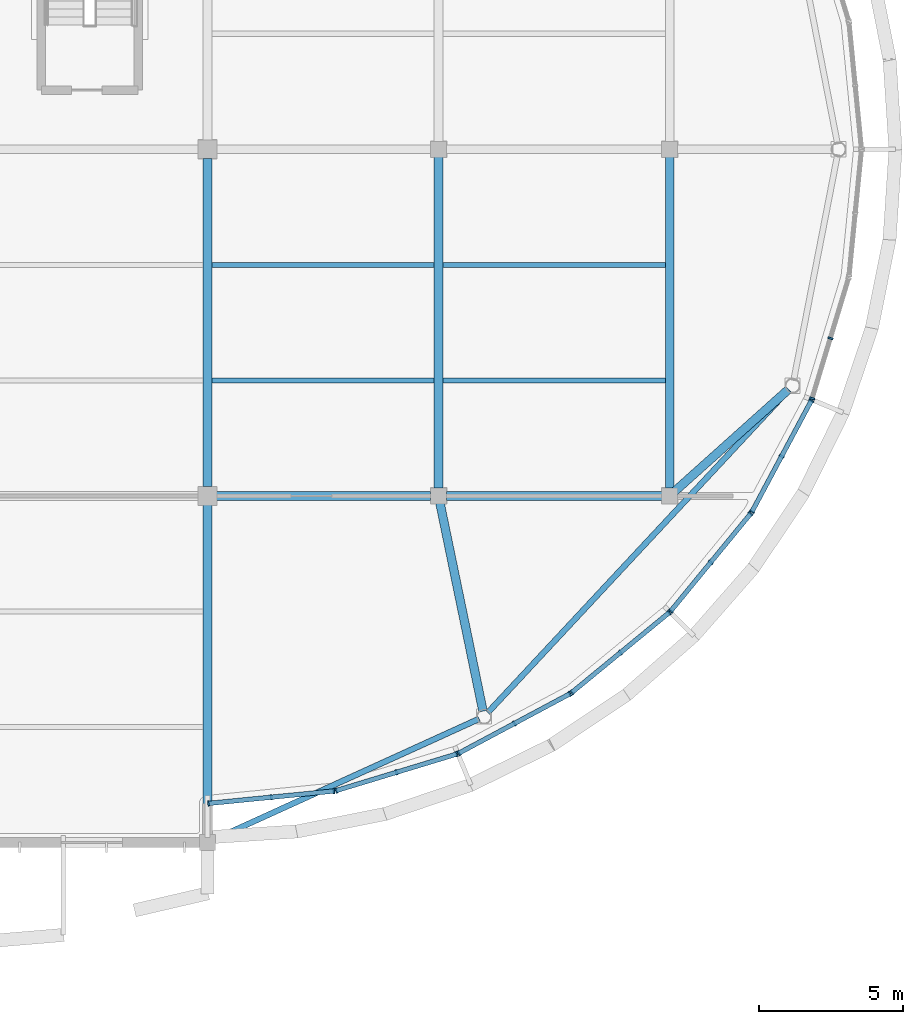
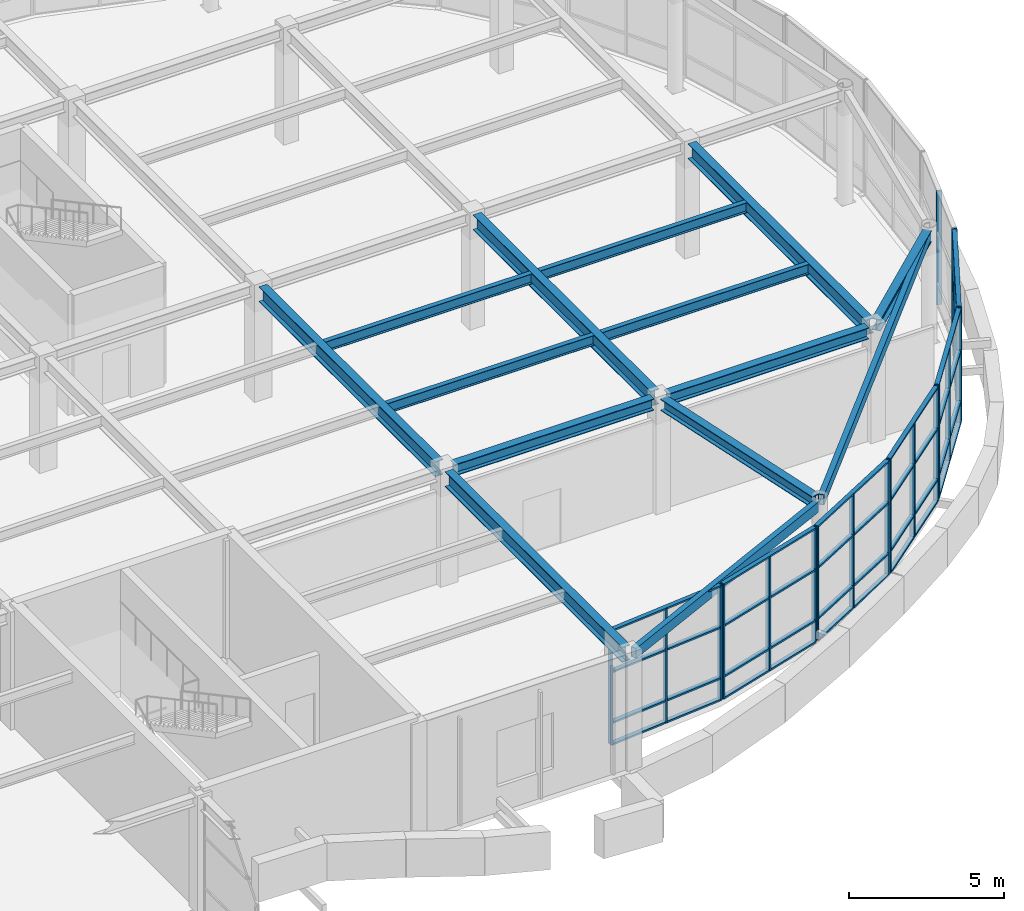
# One storey, part 28 of 72: 44 members, 14 beams, 7 elements without a shape of their own.
"""IFC4 building model written with IfcOpenShell, lengths in metres."""

from ifc_helpers import new_model, si_unit, direction, frame, origin, origin_2d, place, context, subcontext, project, spatial, rectangle, hollow_rectangle, i_section, extrude, material, layer, layer_set, material_profile, profile_set, type_object, element, aggregate, save


model = new_model("IFC4")

# Units and contexts
model_context = context("Model", 3, precision=1e-05, world=origin(), true_north=direction((0.0, 1.0)))
body_context = subcontext(model_context, "Body", "Model", "MODEL_VIEW")
ifc_project = project(units=[si_unit("LENGTHUNIT", "METRE"), si_unit("AREAUNIT", "SQUARE_METRE"), si_unit("VOLUMEUNIT", "CUBIC_METRE"), si_unit("PLANEANGLEUNIT", "RADIAN"), si_unit("MASSUNIT", "GRAM", prefix="KILO")], contexts=[model_context])

# Site, building, storey
site_placement = place(None, origin())
site = spatial("IfcSite", under=ifc_project, at=site_placement, CompositionType="ELEMENT")
building_placement = place(site_placement, origin())
building = spatial("IfcBuilding", under=site, at=building_placement, Name="Keelwater Ferry Terminal", CompositionType="ELEMENT")
storey_placement = place(building_placement, frame((0.0, 0.0, 5.39990234375)))
storey = spatial("IfcBuildingStorey", under=building, at=storey_placement, Name="L01", CompositionType="ELEMENT", Elevation=5.39990234375)

# Curtain wall, members
ifc_material_1 = material(Name="Thermally broken unitised aluminium and triple glass", Category="aluminium")
ifc_layer = layer(ifc_material_1, 0.179931640625)
ifc_layer_set = layer_set([ifc_layer], Name="Thermally broken unitised aluminium and triple glass")
curtain_wall_type = type_object("IfcCurtainWallType", Name="CW-19 Unitised Curtain Wall 4350x4480", PredefinedType="USERDEFINED", material=ifc_layer_set)
curtain_wall_1_placement = place(storey_placement, origin())
curtain_wall_1 = element("IfcCurtainWall", 1, at=curtain_wall_1_placement, inside=storey, type_object=curtain_wall_type, Name="Unitised Curtain Wall CW-L01-125", ObjectType="UNITISED CURTAIN WALL", PredefinedType="USERDEFINED")
ifc_material_2 = material(Name="Aluminium mullion", Category="aluminium")
ifc_material_profile_1 = material_profile(ifc_material_2, rectangle(XDim=0.06494140625, YDim=0.179931640625, at=origin_2d()), Name="CWM-01")
ifc_profile_set_1 = profile_set([ifc_material_profile_1], Name="Aluminium mullion")
member_type_1 = type_object("IfcMemberType", Name="CWM-01 Curtain Mullion 65x180", PredefinedType="MULLION", material=ifc_profile_set_1)
member_1_placement = place(storey_placement, frame((164.044921875, 43.35400390625, 0.0), z_axis=(0.0, 0.0, 1.0), x_axis=(0.995170573079, 0.098160737969, 0.0)))
member_1 = element("IfcMember", 2, at=member_1_placement, type_object=member_type_1, Name="CW-L01-125 Mullion 1", PredefinedType="MULLION", context=body_context, shape_type="SweptSolid", body=[
    extrude(rectangle(XDim=0.06494140625, YDim=0.179931640625, at=origin_2d()), origin(), (0.0, 0.0, 1.0), 4.47998046875),
])
member_2_placement = place(storey_placement, frame((166.20947265625, 43.5673828125, 0.0), z_axis=(0.0, 0.0, 1.0), x_axis=(0.995170573079, 0.098160737969, 0.0)))
member_2 = element("IfcMember", 3, at=member_2_placement, type_object=member_type_1, Name="CW-L01-125 Mullion 2", PredefinedType="MULLION", context=body_context, shape_type="SweptSolid", body=[
    extrude(rectangle(XDim=0.06494140625, YDim=0.179931640625, at=origin_2d()), origin(), (0.0, 0.0, 1.0), 4.47998046875),
])
member_3_placement = place(storey_placement, frame((168.3740234375, 43.781005859375, 0.0), z_axis=(0.0, 0.0, 1.0), x_axis=(0.995170573079, 0.098160737969, 0.0)))
member_3 = element("IfcMember", 4, at=member_3_placement, type_object=member_type_1, Name="CW-L01-125 Mullion 3", PredefinedType="MULLION", context=body_context, shape_type="SweptSolid", body=[
    extrude(rectangle(XDim=0.06494140625, YDim=0.179931640625, at=origin_2d()), origin(), (0.0, 0.0, 1.0), 4.47998046875),
])

curtain_wall_2_placement = place(storey_placement, origin())
curtain_wall_2 = element("IfcCurtainWall", 5, at=curtain_wall_2_placement, inside=storey, type_object=curtain_wall_type, Name="Unitised Curtain Wall CW-L01-126", ObjectType="UNITISED CURTAIN WALL", PredefinedType="USERDEFINED")
member_4_placement = place(storey_placement, frame((168.4619140625, 43.798095703125, 0.0), z_axis=(0.0, 0.0, 1.0), x_axis=(0.956929623319, 0.290319989003, 0.0)))
member_4 = element("IfcMember", 6, at=member_4_placement, type_object=member_type_1, Name="CW-L01-126 Mullion 1", PredefinedType="MULLION", context=body_context, shape_type="SweptSolid", body=[
    extrude(rectangle(XDim=0.06494140625, YDim=0.179931640625, at=origin_2d()), origin(), (0.0, 0.0, 1.0), 4.47998046875),
])
member_5_placement = place(storey_placement, frame((170.54345703125, 44.429443359375, 0.0), z_axis=(0.0, 0.0, 1.0), x_axis=(0.956929623319, 0.290319989003, 0.0)))
member_5 = element("IfcMember", 7, at=member_5_placement, type_object=member_type_1, Name="CW-L01-126 Mullion 2", PredefinedType="MULLION", context=body_context, shape_type="SweptSolid", body=[
    extrude(rectangle(XDim=0.06494140625, YDim=0.179931640625, at=origin_2d()), origin(), (0.0, 0.0, 1.0), 4.47998046875),
])
member_6_placement = place(storey_placement, frame((172.625, 45.06103515625, 0.0), z_axis=(0.0, 0.0, 1.0), x_axis=(0.956929623319, 0.290319989003, 0.0)))
member_6 = element("IfcMember", 8, at=member_6_placement, type_object=member_type_1, Name="CW-L01-126 Mullion 3", PredefinedType="MULLION", context=body_context, shape_type="SweptSolid", body=[
    extrude(rectangle(XDim=0.06494140625, YDim=0.179931640625, at=origin_2d()), origin(), (0.0, 0.0, 1.0), 4.47998046875),
])

curtain_wall_3_placement = place(storey_placement, origin())
curtain_wall_3 = element("IfcCurtainWall", 9, at=curtain_wall_3_placement, inside=storey, type_object=curtain_wall_type, Name="Unitised Curtain Wall CW-L01-127", ObjectType="UNITISED CURTAIN WALL", PredefinedType="USERDEFINED")
member_7_placement = place(storey_placement, frame((172.7080078125, 45.094970703125, 0.0), z_axis=(0.0, 0.0, 1.0), x_axis=(0.881862452632, 0.471506749303, 0.0)))
member_7 = element("IfcMember", 10, at=member_7_placement, type_object=member_type_1, Name="CW-L01-127 Mullion 1", PredefinedType="MULLION", context=body_context, shape_type="SweptSolid", body=[
    extrude(rectangle(XDim=0.06494140625, YDim=0.179931640625, at=origin_2d()), origin(), (0.0, 0.0, 1.0), 4.47998046875),
])
member_8_placement = place(storey_placement, frame((174.6259765625, 46.12060546875, 0.0), z_axis=(0.0, 0.0, 1.0), x_axis=(0.881862452632, 0.471506749303, 0.0)))
member_8 = element("IfcMember", 11, at=member_8_placement, type_object=member_type_1, Name="CW-L01-127 Mullion 2", PredefinedType="MULLION", context=body_context, shape_type="SweptSolid", body=[
    extrude(rectangle(XDim=0.06494140625, YDim=0.179931640625, at=origin_2d()), origin(), (0.0, 0.0, 1.0), 4.47998046875),
])
member_9_placement = place(storey_placement, frame((176.5439453125, 47.14599609375, 0.0), z_axis=(0.0, 0.0, 1.0), x_axis=(0.881862452632, 0.471506749303, 0.0)))
member_9 = element("IfcMember", 12, at=member_9_placement, type_object=member_type_1, Name="CW-L01-127 Mullion 3", PredefinedType="MULLION", context=body_context, shape_type="SweptSolid", body=[
    extrude(rectangle(XDim=0.06494140625, YDim=0.179931640625, at=origin_2d()), origin(), (0.0, 0.0, 1.0), 4.47998046875),
])

curtain_wall_4_placement = place(storey_placement, origin())
curtain_wall_4 = element("IfcCurtainWall", 13, at=curtain_wall_4_placement, inside=storey, type_object=curtain_wall_type, Name="Unitised Curtain Wall CW-L01-128", ObjectType="UNITISED CURTAIN WALL", PredefinedType="USERDEFINED")
member_10_placement = place(storey_placement, frame((176.618896484375, 47.196044921875, 0.0), z_axis=(0.0, 0.0, 1.0), x_axis=(0.773024220086, 0.634376508991, 0.0)))
member_10 = element("IfcMember", 14, at=member_10_placement, type_object=member_type_1, Name="CW-L01-128 Mullion 1", PredefinedType="MULLION", context=body_context, shape_type="SweptSolid", body=[
    extrude(rectangle(XDim=0.06494140625, YDim=0.179931640625, at=origin_2d()), origin(), (0.0, 0.0, 1.0), 4.47998046875),
])
member_11_placement = place(storey_placement, frame((178.300048828125, 48.575439453125, 0.0), z_axis=(0.0, 0.0, 1.0), x_axis=(0.773024220086, 0.634376508991, 0.0)))
member_11 = element("IfcMember", 15, at=member_11_placement, type_object=member_type_1, Name="CW-L01-128 Mullion 2", PredefinedType="MULLION", context=body_context, shape_type="SweptSolid", body=[
    extrude(rectangle(XDim=0.06494140625, YDim=0.179931640625, at=origin_2d()), origin(), (0.0, 0.0, 1.0), 4.47998046875),
])
member_12_placement = place(storey_placement, frame((179.98095703125, 49.955078125, 0.0), z_axis=(0.0, 0.0, 1.0), x_axis=(0.773024220086, 0.634376508991, 0.0)))
member_12 = element("IfcMember", 16, at=member_12_placement, type_object=member_type_1, Name="CW-L01-128 Mullion 3", PredefinedType="MULLION", context=body_context, shape_type="SweptSolid", body=[
    extrude(rectangle(XDim=0.06494140625, YDim=0.179931640625, at=origin_2d()), origin(), (0.0, 0.0, 1.0), 4.47998046875),
])

curtain_wall_5_placement = place(storey_placement, origin())
curtain_wall_5 = element("IfcCurtainWall", 17, at=curtain_wall_5_placement, inside=storey, type_object=curtain_wall_type, Name="Unitised Curtain Wall CW-L01-129", ObjectType="UNITISED CURTAIN WALL", PredefinedType="USERDEFINED")
member_13_placement = place(storey_placement, frame((180.044921875, 50.01904296875, 0.0), z_axis=(0.0, 0.0, 1.0), x_axis=(0.634376508991, 0.773024220086, 0.0)))
member_13 = element("IfcMember", 18, at=member_13_placement, type_object=member_type_1, Name="CW-L01-129 Mullion 1", PredefinedType="MULLION", context=body_context, shape_type="SweptSolid", body=[
    extrude(rectangle(XDim=0.06494140625, YDim=0.179931640625, at=origin_2d()), origin(), (0.0, 0.0, 1.0), 4.47998046875),
])
member_14_placement = place(storey_placement, frame((181.424560546875, 51.699951171875, 0.0), z_axis=(0.0, 0.0, 1.0), x_axis=(0.634376508991, 0.773024220086, 0.0)))
member_14 = element("IfcMember", 19, at=member_14_placement, type_object=member_type_1, Name="CW-L01-129 Mullion 2", PredefinedType="MULLION", context=body_context, shape_type="SweptSolid", body=[
    extrude(rectangle(XDim=0.06494140625, YDim=0.179931640625, at=origin_2d()), origin(), (0.0, 0.0, 1.0), 4.47998046875),
])
member_15_placement = place(storey_placement, frame((182.803955078125, 53.381103515625, 0.0), z_axis=(0.0, 0.0, 1.0), x_axis=(0.634376508991, 0.773024220086, 0.0)))
member_15 = element("IfcMember", 20, at=member_15_placement, type_object=member_type_1, Name="CW-L01-129 Mullion 3", PredefinedType="MULLION", context=body_context, shape_type="SweptSolid", body=[
    extrude(rectangle(XDim=0.06494140625, YDim=0.179931640625, at=origin_2d()), origin(), (0.0, 0.0, 1.0), 4.47998046875),
])

curtain_wall_6_placement = place(storey_placement, origin())
curtain_wall_6 = element("IfcCurtainWall", 21, at=curtain_wall_6_placement, inside=storey, type_object=curtain_wall_type, Name="Unitised Curtain Wall CW-L01-130", ObjectType="UNITISED CURTAIN WALL", PredefinedType="USERDEFINED")
member_16_placement = place(storey_placement, frame((182.85400390625, 53.4560546875, 0.0), z_axis=(0.0, 0.0, 1.0), x_axis=(0.471506749303, 0.881862452632, 0.0)))
member_16 = element("IfcMember", 22, at=member_16_placement, type_object=member_type_1, Name="CW-L01-130 Mullion 1", PredefinedType="MULLION", context=body_context, shape_type="SweptSolid", body=[
    extrude(rectangle(XDim=0.06494140625, YDim=0.179931640625, at=origin_2d()), origin(), (0.0, 0.0, 1.0), 4.47998046875),
])
member_17_placement = place(storey_placement, frame((183.87939453125, 55.3740234375, 0.0), z_axis=(0.0, 0.0, 1.0), x_axis=(0.471506749303, 0.881862452632, 0.0)))
member_17 = element("IfcMember", 23, at=member_17_placement, type_object=member_type_1, Name="CW-L01-130 Mullion 2", PredefinedType="MULLION", context=body_context, shape_type="SweptSolid", body=[
    extrude(rectangle(XDim=0.06494140625, YDim=0.179931640625, at=origin_2d()), origin(), (0.0, 0.0, 1.0), 4.47998046875),
])
member_18_placement = place(storey_placement, frame((184.905029296875, 57.2919921875, 0.0), z_axis=(0.0, 0.0, 1.0), x_axis=(0.471506749303, 0.881862452632, 0.0)))
member_18 = element("IfcMember", 24, at=member_18_placement, type_object=member_type_1, Name="CW-L01-130 Mullion 3", PredefinedType="MULLION", context=body_context, shape_type="SweptSolid", body=[
    extrude(rectangle(XDim=0.06494140625, YDim=0.179931640625, at=origin_2d()), origin(), (0.0, 0.0, 1.0), 4.47998046875),
])

curtain_wall_7_placement = place(storey_placement, origin())
curtain_wall_7 = element("IfcCurtainWall", 25, at=curtain_wall_7_placement, inside=storey, type_object=curtain_wall_type, Name="Unitised Curtain Wall CW-L01-131", ObjectType="UNITISED CURTAIN WALL", PredefinedType="USERDEFINED")
member_19_placement = place(storey_placement, frame((184.93896484375, 57.375, 0.0), z_axis=(0.0, 0.0, 1.0), x_axis=(0.290319989003, 0.956929623319, 0.0)))
member_19 = element("IfcMember", 26, at=member_19_placement, type_object=member_type_1, Name="CW-L01-131 Mullion 1", PredefinedType="MULLION", context=body_context, shape_type="SweptSolid", body=[
    extrude(rectangle(XDim=0.06494140625, YDim=0.179931640625, at=origin_2d()), origin(), (0.0, 0.0, 1.0), 4.47998046875),
])
member_20_placement = place(storey_placement, frame((185.570556640625, 59.45654296875, 0.0), z_axis=(0.0, 0.0, 1.0), x_axis=(0.290319989003, 0.956929623319, 0.0)))
member_20 = element("IfcMember", 27, at=member_20_placement, type_object=member_type_1, Name="CW-L01-131 Mullion 2", PredefinedType="MULLION", context=body_context, shape_type="SweptSolid", body=[
    extrude(rectangle(XDim=0.06494140625, YDim=0.179931640625, at=origin_2d()), origin(), (0.0, 0.0, 1.0), 4.47998046875),
])
aggregate(curtain_wall_7, [member_19, member_20])

# Member
ifc_material_3 = material(Name="Aluminium mullion", Category="aluminium")
ifc_material_profile_2 = material_profile(ifc_material_3, rectangle(XDim=0.159912109375, YDim=0.06494140625, at=origin_2d()), Name="CWT-01")
ifc_profile_set_2 = profile_set([ifc_material_profile_2], Name="Aluminium mullion")
member_type_2 = type_object("IfcMemberType", Name="CWT-01 Curtain Transom 65x160", PredefinedType="USERDEFINED", material=ifc_profile_set_2)
member_21_placement = place(storey_placement, frame((164.044921875, 43.35400390625, 0.0), z_axis=(0.995170754178, 0.098158901932, 0.0), x_axis=(-0.098158901932, 0.995170754178, 0.0)))
member_21 = element("IfcMember", 28, at=member_21_placement, type_object=member_type_2, Name="CW-L01-125 Transom 1", ObjectType="TRANSOM", PredefinedType="USERDEFINED", context=body_context, shape_type="SweptSolid", body=[
    extrude(rectangle(XDim=0.159912109375, YDim=0.06494140625, at=origin_2d()), origin(), (0.0, 0.0, 1.0), 4.35009765625),
])

member_22_placement = place(storey_placement, frame((164.044921875, 43.35400390625, 0.85009765625), z_axis=(0.995170754178, 0.098158901932, 0.0), x_axis=(-0.098158901932, 0.995170754178, 0.0)))
member_22 = element("IfcMember", 29, at=member_22_placement, type_object=member_type_2, Name="CW-L01-125 Transom 2", ObjectType="TRANSOM", PredefinedType="USERDEFINED", context=body_context, shape_type="SweptSolid", body=[
    extrude(rectangle(XDim=0.159912109375, YDim=0.06494140625, at=origin_2d()), origin(), (0.0, 0.0, 1.0), 4.35009765625),
])

member_23_placement = place(storey_placement, frame((164.044921875, 43.35400390625, 2.85009765625), z_axis=(0.995170754178, 0.098158901932, 0.0), x_axis=(-0.098158901932, 0.995170754178, 0.0)))
member_23 = element("IfcMember", 30, at=member_23_placement, type_object=member_type_2, Name="CW-L01-125 Transom 3", ObjectType="TRANSOM", PredefinedType="USERDEFINED", context=body_context, shape_type="SweptSolid", body=[
    extrude(rectangle(XDim=0.159912109375, YDim=0.06494140625, at=origin_2d()), origin(), (0.0, 0.0, 1.0), 4.35009765625),
])

member_24_placement = place(storey_placement, frame((164.044921875, 43.35400390625, 4.47998046875), z_axis=(0.995170754178, 0.098158901932, 0.0), x_axis=(-0.098158901932, 0.995170754178, 0.0)))
member_24 = element("IfcMember", 31, at=member_24_placement, type_object=member_type_2, Name="CW-L01-125 Transom 4", ObjectType="TRANSOM", PredefinedType="USERDEFINED", context=body_context, shape_type="SweptSolid", body=[
    extrude(rectangle(XDim=0.159912109375, YDim=0.06494140625, at=origin_2d()), origin(), (0.0, 0.0, 1.0), 4.35009765625),
])

aggregate(curtain_wall_1, [member_1, member_2, member_3, member_21, member_22, member_23, member_24])

member_25_placement = place(storey_placement, frame((168.4619140625, 43.798095703125, 0.0), z_axis=(0.956935154583, 0.290301756665, 0.0), x_axis=(-0.290301756665, 0.956935154583, 0.0)))
member_25 = element("IfcMember", 32, at=member_25_placement, type_object=member_type_2, Name="CW-L01-126 Transom 1", ObjectType="TRANSOM", PredefinedType="USERDEFINED", context=body_context, shape_type="SweptSolid", body=[
    extrude(rectangle(XDim=0.159912109375, YDim=0.06494140625, at=origin_2d()), origin(), (0.0, 0.0, 1.0), 4.350341796875),
])

member_26_placement = place(storey_placement, frame((168.4619140625, 43.798095703125, 0.85009765625), z_axis=(0.956935154583, 0.290301756665, 0.0), x_axis=(-0.290301756665, 0.956935154583, 0.0)))
member_26 = element("IfcMember", 33, at=member_26_placement, type_object=member_type_2, Name="CW-L01-126 Transom 2", ObjectType="TRANSOM", PredefinedType="USERDEFINED", context=body_context, shape_type="SweptSolid", body=[
    extrude(rectangle(XDim=0.159912109375, YDim=0.06494140625, at=origin_2d()), origin(), (0.0, 0.0, 1.0), 4.350341796875),
])

member_27_placement = place(storey_placement, frame((168.4619140625, 43.798095703125, 2.85009765625), z_axis=(0.956935154583, 0.290301756665, 0.0), x_axis=(-0.290301756665, 0.956935154583, 0.0)))
member_27 = element("IfcMember", 34, at=member_27_placement, type_object=member_type_2, Name="CW-L01-126 Transom 3", ObjectType="TRANSOM", PredefinedType="USERDEFINED", context=body_context, shape_type="SweptSolid", body=[
    extrude(rectangle(XDim=0.159912109375, YDim=0.06494140625, at=origin_2d()), origin(), (0.0, 0.0, 1.0), 4.350341796875),
])

member_28_placement = place(storey_placement, frame((168.4619140625, 43.798095703125, 4.47998046875), z_axis=(0.956935154583, 0.290301756665, 0.0), x_axis=(-0.290301756665, 0.956935154583, 0.0)))
member_28 = element("IfcMember", 35, at=member_28_placement, type_object=member_type_2, Name="CW-L01-126 Transom 4", ObjectType="TRANSOM", PredefinedType="USERDEFINED", context=body_context, shape_type="SweptSolid", body=[
    extrude(rectangle(XDim=0.159912109375, YDim=0.06494140625, at=origin_2d()), origin(), (0.0, 0.0, 1.0), 4.350341796875),
])

aggregate(curtain_wall_2, [member_4, member_5, member_6, member_25, member_26, member_27, member_28])

member_29_placement = place(storey_placement, frame((172.7080078125, 45.094970703125, 0.0), z_axis=(0.881856831112, 0.471517263122, 0.0), x_axis=(-0.471517263122, 0.881856831112, 0.0)))
member_29 = element("IfcMember", 36, at=member_29_placement, type_object=member_type_2, Name="CW-L01-127 Transom 1", ObjectType="TRANSOM", PredefinedType="USERDEFINED", context=body_context, shape_type="SweptSolid", body=[
    extrude(rectangle(XDim=0.159912109375, YDim=0.06494140625, at=origin_2d()), origin(), (0.0, 0.0, 1.0), 4.349853515625),
])

member_30_placement = place(storey_placement, frame((172.7080078125, 45.094970703125, 0.85009765625), z_axis=(0.881856831112, 0.471517263122, 0.0), x_axis=(-0.471517263122, 0.881856831112, 0.0)))
member_30 = element("IfcMember", 37, at=member_30_placement, type_object=member_type_2, Name="CW-L01-127 Transom 2", ObjectType="TRANSOM", PredefinedType="USERDEFINED", context=body_context, shape_type="SweptSolid", body=[
    extrude(rectangle(XDim=0.159912109375, YDim=0.06494140625, at=origin_2d()), origin(), (0.0, 0.0, 1.0), 4.349853515625),
])

member_31_placement = place(storey_placement, frame((172.7080078125, 45.094970703125, 2.85009765625), z_axis=(0.881856831112, 0.471517263122, 0.0), x_axis=(-0.471517263122, 0.881856831112, 0.0)))
member_31 = element("IfcMember", 38, at=member_31_placement, type_object=member_type_2, Name="CW-L01-127 Transom 3", ObjectType="TRANSOM", PredefinedType="USERDEFINED", context=body_context, shape_type="SweptSolid", body=[
    extrude(rectangle(XDim=0.159912109375, YDim=0.06494140625, at=origin_2d()), origin(), (0.0, 0.0, 1.0), 4.349853515625),
])

member_32_placement = place(storey_placement, frame((172.7080078125, 45.094970703125, 4.47998046875), z_axis=(0.881856831112, 0.471517263122, 0.0), x_axis=(-0.471517263122, 0.881856831112, 0.0)))
member_32 = element("IfcMember", 39, at=member_32_placement, type_object=member_type_2, Name="CW-L01-127 Transom 4", ObjectType="TRANSOM", PredefinedType="USERDEFINED", context=body_context, shape_type="SweptSolid", body=[
    extrude(rectangle(XDim=0.159912109375, YDim=0.06494140625, at=origin_2d()), origin(), (0.0, 0.0, 1.0), 4.349853515625),
])

aggregate(curtain_wall_3, [member_7, member_8, member_9, member_29, member_30, member_31, member_32])

member_33_placement = place(storey_placement, frame((176.618896484375, 47.196044921875, 0.0), z_axis=(0.773026078732, 0.634374244118, 0.0), x_axis=(-0.634374244118, 0.773026078732, 0.0)))
member_33 = element("IfcMember", 40, at=member_33_placement, type_object=member_type_2, Name="CW-L01-128 Transom 1", ObjectType="TRANSOM", PredefinedType="USERDEFINED", context=body_context, shape_type="SweptSolid", body=[
    extrude(rectangle(XDim=0.159912109375, YDim=0.06494140625, at=origin_2d()), origin(), (0.0, 0.0, 1.0), 4.34912109375),
])

member_34_placement = place(storey_placement, frame((176.618896484375, 47.196044921875, 0.85009765625), z_axis=(0.773026078732, 0.634374244118, 0.0), x_axis=(-0.634374244118, 0.773026078732, 0.0)))
member_34 = element("IfcMember", 41, at=member_34_placement, type_object=member_type_2, Name="CW-L01-128 Transom 2", ObjectType="TRANSOM", PredefinedType="USERDEFINED", context=body_context, shape_type="SweptSolid", body=[
    extrude(rectangle(XDim=0.159912109375, YDim=0.06494140625, at=origin_2d()), origin(), (0.0, 0.0, 1.0), 4.34912109375),
])

member_35_placement = place(storey_placement, frame((176.618896484375, 47.196044921875, 2.85009765625), z_axis=(0.773026078732, 0.634374244118, 0.0), x_axis=(-0.634374244118, 0.773026078732, 0.0)))
member_35 = element("IfcMember", 42, at=member_35_placement, type_object=member_type_2, Name="CW-L01-128 Transom 3", ObjectType="TRANSOM", PredefinedType="USERDEFINED", context=body_context, shape_type="SweptSolid", body=[
    extrude(rectangle(XDim=0.159912109375, YDim=0.06494140625, at=origin_2d()), origin(), (0.0, 0.0, 1.0), 4.34912109375),
])

member_36_placement = place(storey_placement, frame((176.618896484375, 47.196044921875, 4.47998046875), z_axis=(0.773026078732, 0.634374244118, 0.0), x_axis=(-0.634374244118, 0.773026078732, 0.0)))
member_36 = element("IfcMember", 43, at=member_36_placement, type_object=member_type_2, Name="CW-L01-128 Transom 4", ObjectType="TRANSOM", PredefinedType="USERDEFINED", context=body_context, shape_type="SweptSolid", body=[
    extrude(rectangle(XDim=0.159912109375, YDim=0.06494140625, at=origin_2d()), origin(), (0.0, 0.0, 1.0), 4.34912109375),
])

aggregate(curtain_wall_4, [member_10, member_11, member_12, member_33, member_34, member_35, member_36])

member_37_placement = place(storey_placement, frame((180.044921875, 50.01904296875, 0.0), z_axis=(0.634374244118, 0.773026078732, 0.0), x_axis=(-0.773026078732, 0.634374244118, 0.0)))
member_37 = element("IfcMember", 44, at=member_37_placement, type_object=member_type_2, Name="CW-L01-129 Transom 1", ObjectType="TRANSOM", PredefinedType="USERDEFINED", context=body_context, shape_type="SweptSolid", body=[
    extrude(rectangle(XDim=0.159912109375, YDim=0.06494140625, at=origin_2d()), origin(), (0.0, 0.0, 1.0), 4.34912109375),
])

member_38_placement = place(storey_placement, frame((180.044921875, 50.01904296875, 0.85009765625), z_axis=(0.634374244118, 0.773026078732, 0.0), x_axis=(-0.773026078732, 0.634374244118, 0.0)))
member_38 = element("IfcMember", 45, at=member_38_placement, type_object=member_type_2, Name="CW-L01-129 Transom 2", ObjectType="TRANSOM", PredefinedType="USERDEFINED", context=body_context, shape_type="SweptSolid", body=[
    extrude(rectangle(XDim=0.159912109375, YDim=0.06494140625, at=origin_2d()), origin(), (0.0, 0.0, 1.0), 4.34912109375),
])

member_39_placement = place(storey_placement, frame((180.044921875, 50.01904296875, 2.85009765625), z_axis=(0.634374244118, 0.773026078732, 0.0), x_axis=(-0.773026078732, 0.634374244118, 0.0)))
member_39 = element("IfcMember", 46, at=member_39_placement, type_object=member_type_2, Name="CW-L01-129 Transom 3", ObjectType="TRANSOM", PredefinedType="USERDEFINED", context=body_context, shape_type="SweptSolid", body=[
    extrude(rectangle(XDim=0.159912109375, YDim=0.06494140625, at=origin_2d()), origin(), (0.0, 0.0, 1.0), 4.34912109375),
])

member_40_placement = place(storey_placement, frame((180.044921875, 50.01904296875, 4.47998046875), z_axis=(0.634374244118, 0.773026078732, 0.0), x_axis=(-0.773026078732, 0.634374244118, 0.0)))
member_40 = element("IfcMember", 47, at=member_40_placement, type_object=member_type_2, Name="CW-L01-129 Transom 4", ObjectType="TRANSOM", PredefinedType="USERDEFINED", context=body_context, shape_type="SweptSolid", body=[
    extrude(rectangle(XDim=0.159912109375, YDim=0.06494140625, at=origin_2d()), origin(), (0.0, 0.0, 1.0), 4.34912109375),
])

aggregate(curtain_wall_5, [member_13, member_14, member_15, member_37, member_38, member_39, member_40])

member_41_placement = place(storey_placement, frame((182.85400390625, 53.4560546875, 0.0), z_axis=(0.471517263122, 0.881856831112, 0.0), x_axis=(-0.881856831112, 0.471517263122, 0.0)))
member_41 = element("IfcMember", 48, at=member_41_placement, type_object=member_type_2, Name="CW-L01-130 Transom 1", ObjectType="TRANSOM", PredefinedType="USERDEFINED", context=body_context, shape_type="SweptSolid", body=[
    extrude(rectangle(XDim=0.159912109375, YDim=0.06494140625, at=origin_2d()), origin(), (0.0, 0.0, 1.0), 4.349853515625),
])

member_42_placement = place(storey_placement, frame((182.85400390625, 53.4560546875, 0.85009765625), z_axis=(0.471517263122, 0.881856831112, 0.0), x_axis=(-0.881856831112, 0.471517263122, 0.0)))
member_42 = element("IfcMember", 49, at=member_42_placement, type_object=member_type_2, Name="CW-L01-130 Transom 2", ObjectType="TRANSOM", PredefinedType="USERDEFINED", context=body_context, shape_type="SweptSolid", body=[
    extrude(rectangle(XDim=0.159912109375, YDim=0.06494140625, at=origin_2d()), origin(), (0.0, 0.0, 1.0), 4.349853515625),
])

member_43_placement = place(storey_placement, frame((182.85400390625, 53.4560546875, 2.85009765625), z_axis=(0.471517263122, 0.881856831112, 0.0), x_axis=(-0.881856831112, 0.471517263122, 0.0)))
member_43 = element("IfcMember", 50, at=member_43_placement, type_object=member_type_2, Name="CW-L01-130 Transom 3", ObjectType="TRANSOM", PredefinedType="USERDEFINED", context=body_context, shape_type="SweptSolid", body=[
    extrude(rectangle(XDim=0.159912109375, YDim=0.06494140625, at=origin_2d()), origin(), (0.0, 0.0, 1.0), 4.349853515625),
])

member_44_placement = place(storey_placement, frame((182.85400390625, 53.4560546875, 4.47998046875), z_axis=(0.471517263122, 0.881856831112, 0.0), x_axis=(-0.881856831112, 0.471517263122, 0.0)))
member_44 = element("IfcMember", 51, at=member_44_placement, type_object=member_type_2, Name="CW-L01-130 Transom 4", ObjectType="TRANSOM", PredefinedType="USERDEFINED", context=body_context, shape_type="SweptSolid", body=[
    extrude(rectangle(XDim=0.159912109375, YDim=0.06494140625, at=origin_2d()), origin(), (0.0, 0.0, 1.0), 4.349853515625),
])

aggregate(curtain_wall_6, [member_16, member_17, member_18, member_41, member_42, member_43, member_44])

# Beams
ifc_material_4 = material(Name="Steel S355", Category="steel")
ifc_material_profile_3 = material_profile(ifc_material_4, i_section(OverallWidth=0.300048828125, OverallDepth=0.60009765625, WebThickness=0.015380859375, FlangeThickness=0.030029296875, at=origin_2d()), Name="HEB 600")
ifc_profile_set_3 = profile_set([ifc_material_profile_3], Name="Steel S355")
beam_type_1 = type_object("IfcBeamType", Name="G3 HEB 600", PredefinedType="BEAM", material=ifc_profile_set_3)
beam_1_placement = place(storey_placement, frame((164.0, 42.27001953125, 4.22021484375), z_axis=(0.0, 1.0, 0.0), x_axis=(-1.0, 0.0, 0.0)))
element("IfcBeam", 52, at=beam_1_placement, inside=storey, type_object=beam_type_1, Name="Beam BM-L01-0792", PredefinedType="BEAM", context=body_context, shape_type="SweptSolid", body=[
    extrude(i_section(OverallWidth=0.300048828125, OverallDepth=0.60009765625, WebThickness=0.015380859375, FlangeThickness=0.030029296875, at=origin_2d()), origin(), (0.0, 0.0, 1.0), 11.411865234375),
])
beam_2_placement = place(storey_placement, frame((164.0, 54.318115234375, 4.22021484375), z_axis=(0.0, 1.0, 0.0), x_axis=(-1.0, 0.0, 0.0)))
element("IfcBeam", 53, at=beam_2_placement, inside=storey, type_object=beam_type_1, Name="Beam BM-L01-0793", PredefinedType="BEAM", context=body_context, shape_type="SweptSolid", body=[
    extrude(i_section(OverallWidth=0.300048828125, OverallDepth=0.60009765625, WebThickness=0.015380859375, FlangeThickness=0.030029296875, at=origin_2d()), origin(), (0.0, 0.0, 1.0), 11.36376953125),
])
ifc_material_5 = material(Name="Steel S355", Category="steel")
ifc_material_profile_4 = material_profile(ifc_material_5, i_section(OverallWidth=0.300048828125, OverallDepth=0.60009765625, WebThickness=0.015380859375, FlangeThickness=0.030029296875, at=origin_2d()), Name="HEB 600")
ifc_profile_set_4 = profile_set([ifc_material_profile_4], Name="Steel S355")
beam_type_2 = type_object("IfcBeamType", Name="G3E HEB 600", PredefinedType="BEAM", material=ifc_profile_set_4)
for number, where, z_axis, x_axis, name in (
    (54, (172.0, 54.27001953125, 4.22021484375), (0.0, 1.0, 0.0), (-1.0, 0.0, 0.0), "Beam BM-L01-0799"),
    (55, (180.0, 54.27001953125, 4.22021484375), (0.0, 1.0, 0.0), (-1.0, 0.0, 0.0), "Beam BM-L01-0805"),
):
    element("IfcBeam", number, at=place(storey_placement, frame(where, z_axis=z_axis, x_axis=x_axis)), inside=storey, type_object=beam_type_2, Name=name, PredefinedType="BEAM", context=body_context, shape_type="SweptSolid", body=[
        extrude(i_section(OverallWidth=0.300048828125, OverallDepth=0.60009765625, WebThickness=0.015380859375, FlangeThickness=0.030029296875, at=origin_2d()), origin(), (0.0, 0.0, 1.0), 11.4599609375),
    ])
ifc_material_6 = material(Name="Steel S355", Category="steel")
ifc_material_profile_5 = material_profile(ifc_material_6, i_section(OverallWidth=0.300048828125, OverallDepth=0.449951171875, WebThickness=0.013916015625, FlangeThickness=0.02587890625, at=origin_2d()), Name="HEB 450")
ifc_profile_set_5 = profile_set([ifc_material_profile_5], Name="Steel S355")
beam_type_3 = type_object("IfcBeamType", Name="G6 HEB 450", PredefinedType="BEAM", material=ifc_profile_set_5)
beam_3_placement = place(storey_placement, frame((164.318115234375, 54.0, 4.295166015625), z_axis=(1.0, 0.0, 0.0), x_axis=(0.0, 1.0, 0.0)))
element("IfcBeam", 56, at=beam_3_placement, inside=storey, type_object=beam_type_3, Name="Beam BM-L01-0644", PredefinedType="BEAM", context=body_context, shape_type="SweptSolid", body=[
    extrude(i_section(OverallWidth=0.300048828125, OverallDepth=0.449951171875, WebThickness=0.013916015625, FlangeThickness=0.02587890625, at=origin_2d()), origin(), (0.0, 0.0, 1.0), 7.411865234375),
])
beam_4_placement = place(storey_placement, frame((172.27001953125, 54.0, 4.295166015625), z_axis=(1.0, 0.0, 0.0), x_axis=(0.0, 1.0, 0.0)))
element("IfcBeam", 57, at=beam_4_placement, inside=storey, type_object=beam_type_3, Name="Beam BM-L01-0645", PredefinedType="BEAM", context=body_context, shape_type="SweptSolid", body=[
    extrude(i_section(OverallWidth=0.300048828125, OverallDepth=0.449951171875, WebThickness=0.013916015625, FlangeThickness=0.02587890625, at=origin_2d()), origin(), (0.0, 0.0, 1.0), 7.4599609375),
])
beam_5_placement = place(storey_placement, frame((184.116943359375, 57.68798828125, 4.295166015625), z_axis=(-0.74488982883, -0.667187487072, 0.0), x_axis=(0.667187487072, -0.74488982883, 0.0)))
element("IfcBeam", 58, at=beam_5_placement, inside=storey, type_object=beam_type_3, Name="Beam BM-L01-0980", PredefinedType="BEAM", context=body_context, shape_type="SweptSolid", body=[
    extrude(i_section(OverallWidth=0.300048828125, OverallDepth=0.449951171875, WebThickness=0.013916015625, FlangeThickness=0.02587890625, at=origin_2d()), origin(), (0.0, 0.0, 1.0), 5.2880859375),
])
beam_6_placement = place(storey_placement, frame((173.5400390625, 46.547119140625, 4.295166015625), z_axis=(-0.202424869053, 0.97929779556, 0.0), x_axis=(-0.97929779556, -0.202424869053, 0.0)))
element("IfcBeam", 59, at=beam_6_placement, inside=storey, type_object=beam_type_3, Name="Beam BM-L01-0981", PredefinedType="BEAM", context=body_context, shape_type="SweptSolid", body=[
    extrude(i_section(OverallWidth=0.300048828125, OverallDepth=0.449951171875, WebThickness=0.013916015625, FlangeThickness=0.02587890625, at=origin_2d()), origin(), (0.0, 0.0, 1.0), 7.370361328125),
])
ifc_material_7 = material(Name="Steel S355", Category="steel")
ifc_material_profile_6 = material_profile(ifc_material_7, i_section(OverallWidth=0.179931640625, OverallDepth=0.39990234375, WebThickness=0.008544921875, FlangeThickness=0.013427734375, at=origin_2d()), Name="IPE 400")
ifc_profile_set_6 = profile_set([ifc_material_profile_6], Name="Steel S355")
beam_type_4 = type_object("IfcBeamType", Name="J5 IPE 400", PredefinedType="JOIST", material=ifc_profile_set_6)
for number, where, z_axis, x_axis, name in (
    (60, (164.14990234375, 58.0, 4.320068359375), (1.0, 0.0, 0.0), (0.0, 1.0, 0.0), "Beam BM-L01-0934"),
    (61, (164.14990234375, 62.0, 4.320068359375), (1.0, 0.0, 0.0), (0.0, 1.0, 0.0), "Beam BM-L01-0935"),
    (62, (172.14990234375, 58.0, 4.320068359375), (1.0, 0.0, 0.0), (0.0, 1.0, 0.0), "Beam BM-L01-0944"),
    (63, (172.14990234375, 62.0, 4.320068359375), (1.0, 0.0, 0.0), (0.0, 1.0, 0.0), "Beam BM-L01-0945"),
):
    element("IfcBeam", number, at=place(storey_placement, frame(where, z_axis=z_axis, x_axis=x_axis)), inside=storey, type_object=beam_type_4, Name=name, PredefinedType="JOIST", context=body_context, shape_type="SweptSolid", body=[
        extrude(i_section(OverallWidth=0.179931640625, OverallDepth=0.39990234375, WebThickness=0.008544921875, FlangeThickness=0.013427734375, at=origin_2d()), origin(), (0.0, 0.0, 1.0), 7.7001953125),
    ])
ifc_material_8 = material(Name="Steel S355", Category="steel")
ifc_material_profile_7 = material_profile(ifc_material_8, hollow_rectangle(XDim=0.199951171875, YDim=0.39990234375, WallThickness=0.01611328125, at=origin_2d()), Name="RHS 400x200x16")
ifc_profile_set_7 = profile_set([ifc_material_profile_7], Name="Steel S355")
beam_type_5 = type_object("IfcBeamType", Name="SP3E RHS 400x200x16", PredefinedType="SPANDREL", material=ifc_profile_set_7)
beam_7_placement = place(storey_placement, frame((184.12890625, 57.676025390625, 4.320068359375), z_axis=(-0.681966371638, -0.731383529999, 0.0), x_axis=(0.731383529999, -0.681966371638, 0.0)))
element("IfcBeam", 64, at=beam_7_placement, inside=storey, type_object=beam_type_5, Name="Beam BM-L01-0976", PredefinedType="SPANDREL", context=body_context, shape_type="SweptSolid", body=[
    extrude(hollow_rectangle(XDim=0.199951171875, YDim=0.39990234375, WallThickness=0.01611328125, at=origin_2d()), origin(), (0.0, 0.0, 1.0), 15.28076171875),
])
beam_8_placement = place(storey_placement, frame((173.405029296875, 46.281982421875, 4.320068359375), z_axis=(-0.910123163328, -0.414337818181, 0.0), x_axis=(0.414337818181, -0.910123163328, 0.0)))
element("IfcBeam", 65, at=beam_8_placement, inside=storey, type_object=beam_type_5, Name="Beam BM-L01-0977", PredefinedType="SPANDREL", context=body_context, shape_type="SweptSolid", body=[
    extrude(hollow_rectangle(XDim=0.199951171875, YDim=0.39990234375, WallThickness=0.01611328125, at=origin_2d()), origin(), (0.0, 0.0, 1.0), 10.1435546875),
])

save(model, "model.ifc")
